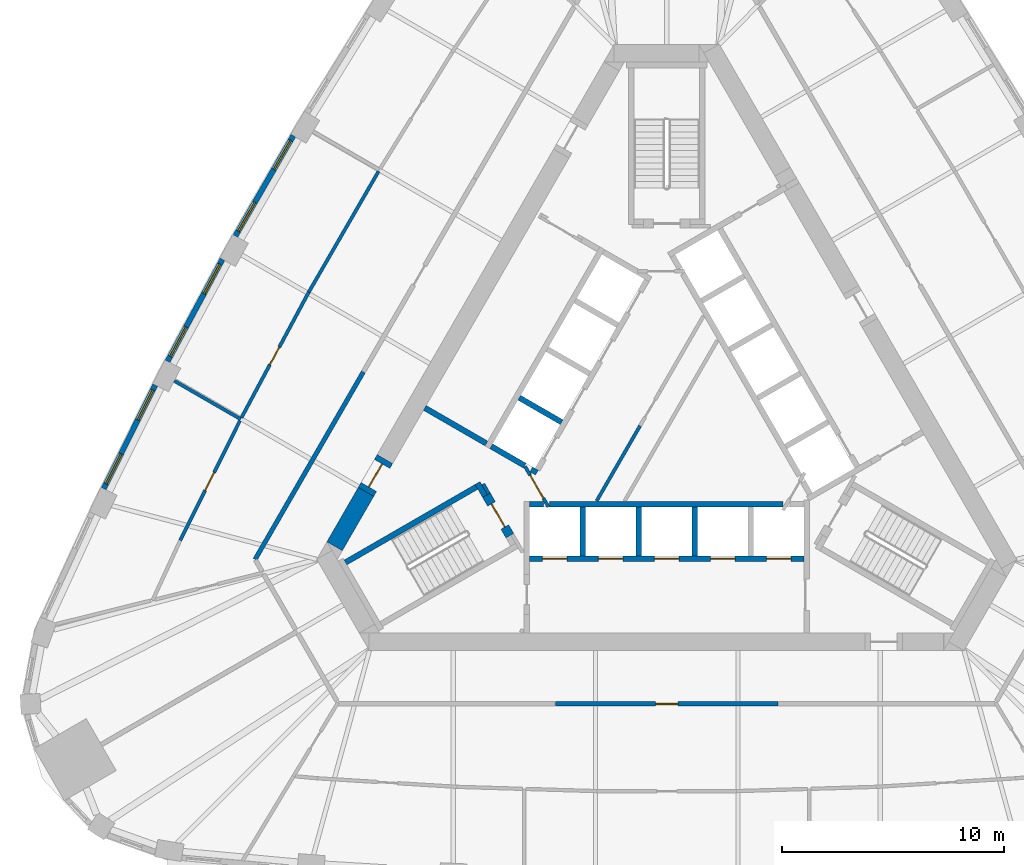
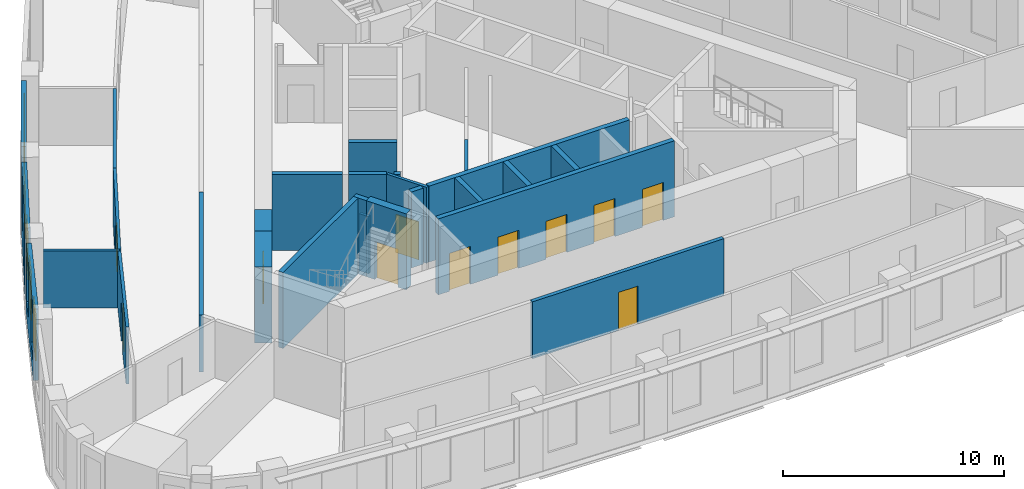
# One storey, part 4 of 10: 27 walls, 11 doors, 6 windows, 17 openings.
"""IFC4 building model written with IfcOpenShell, lengths in metres."""

from ifc_helpers import new_model, si_unit, direction, frame, frame_2d, origin, place, context, subcontext, project, spatial, rectangle, extrude, material, layer, layer_set, type_object, element, fill, save


model = new_model("IFC4")

# Units and contexts
model_context = context("Model", 3, precision=1e-05, world=origin(), true_north=direction((0.0, 1.0)))
body_context = subcontext(model_context, "Body", "Model", "MODEL_VIEW")
ifc_project = project(units=[si_unit("LENGTHUNIT", "METRE"), si_unit("AREAUNIT", "SQUARE_METRE"), si_unit("VOLUMEUNIT", "CUBIC_METRE"), si_unit("PLANEANGLEUNIT", "RADIAN"), si_unit("MASSUNIT", "GRAM", prefix="KILO")], contexts=[model_context])

# Site, building, storey
site_placement = place(None, origin())
site = spatial("IfcSite", under=ifc_project, at=site_placement, CompositionType="ELEMENT")
building_placement = place(site_placement, origin())
building = spatial("IfcBuilding", under=site, at=building_placement, Name="Mestral Congress Tower", CompositionType="ELEMENT")
storey_placement = place(building_placement, frame((0.0, 0.0, 145.800048828125)))
storey = spatial("IfcBuildingStorey", under=building, at=storey_placement, Name="L34", CompositionType="ELEMENT", Elevation=145.800048828125)

# Walls
ifc_material_1 = material(Name="Fire-rated board partition")
ifc_layer_1 = layer(ifc_material_1, 0.14990234375)
ifc_layer_set_1 = layer_set([ifc_layer_1], Name="Fire-rated board partition")
wall_type_1 = type_object("IfcWallType", Name="Core partition 150", PredefinedType="PARTITIONING", material=ifc_layer_set_1)
wall_1_placement = place(storey_placement, frame((-8.251953125, -2.958251953125, 0.0), z_axis=(0.0, 0.0, 1.0), x_axis=(0.500174715838, -0.865924508047, 0.0)))
element("IfcWall", 1, at=wall_1_placement, inside=storey, type_object=wall_type_1, Name="L34 core wall", PredefinedType="PARTITIONING", context=body_context, shape_type="SweptSolid", body=[
    extrude(rectangle(XDim=0.513916015625, YDim=0.14990234375, at=frame_2d((0.2568359375, 0.0))), origin(), (0.0, 0.0, 1.0), 3.14990234375),
])
wall_2_placement = place(storey_placement, frame((-3.146728515625, -3.71826171875, 0.0), z_axis=(0.0, 0.0, 1.0), x_axis=(0.500010131483, 0.866019554291, 0.0)))
element("IfcWall", 2, at=wall_2_placement, inside=storey, type_object=wall_type_1, Name="L34 core wall", PredefinedType="PARTITIONING", context=body_context, shape_type="SweptSolid", body=[
    extrude(rectangle(XDim=3.8935546875, YDim=0.14990234375, at=frame_2d((1.94677734375, 0.0))), origin(), (0.0, 0.0, 1.0), 3.14990234375),
])
ifc_material_2 = material(Name="Concrete C60/75", Category="concrete")
ifc_layer_2 = layer(ifc_material_2, 0.800048828125)
ifc_layer_set_2 = layer_set([ifc_layer_2], Name="Concrete C60/75")
wall_type_2 = type_object("IfcWallType", Name="Core wall RC 800", PredefinedType="SOLIDWALL", material=ifc_layer_set_2)
wall_3_placement = place(storey_placement, frame((-13.518310546875, -3.314208984375, 0.0), z_axis=(0.0, 0.0, 1.0), x_axis=(-0.499969377405, -0.866043083026, 0.0)))
element("IfcWall", 3, at=wall_3_placement, inside=storey, type_object=wall_type_2, Name="L34 core wall", PredefinedType="SOLIDWALL", context=body_context, shape_type="SweptSolid", body=[
    extrude(rectangle(XDim=2.824462890625, YDim=0.800048828125, at=frame_2d((1.412109375, 0.0))), origin(), (0.0, 0.0, 1.0), 4.199951171875),
])

# Wall, opening, door
wall_4_placement = place(storey_placement, frame((-13.518310546875, -3.314208984375, 0.0), z_axis=(0.0, 0.0, 1.0), x_axis=(0.500062241894, 0.865989465428, 0.0)))
wall_4 = element("IfcWall", 4, at=wall_4_placement, inside=storey, type_object=wall_type_2, Name="L34 door wall", PredefinedType="SOLIDWALL", context=body_context, shape_type="SweptSolid", body=[
    extrude(rectangle(XDim=1.699951171875, YDim=0.800048828125, at=frame_2d((0.85009765625, 0.0))), origin(), (0.0, 0.0, 1.0), 4.199951171875),
])
opening_1_placement = place(wall_4_placement, frame((0.25, 0.0, 0.0)))
opening_1 = element("IfcOpeningElement", 5, at=opening_1_placement, cuts=wall_4, Name="Opening XD3", PredefinedType="OPENING", context=body_context, shape_type="SweptSolid", body=[
    extrude(rectangle(XDim=1.199951171875, YDim=2.10009765625, at=frame_2d((0.60009765625, 1.050048828125))), frame((0.0, 0.409912109375, 0.0), z_axis=(0.0, -1.0, 0.0), x_axis=(1.0, 0.0, 0.0)), (0.0, 0.0, 1.0), 0.820068359375),
])
ifc_material_3 = material(Name="Fire-rated steel door set", Category="steel")
door_type_1 = type_object("IfcDoorType", Name="Core door XD 1200x2100", OperationType="SINGLE_SWING_LEFT", PredefinedType="DOOR", material=ifc_material_3)
door_1_placement = place(opening_1_placement, origin())
door_1 = element("IfcDoor", 6, at=door_1_placement, inside=storey, type_object=door_type_1, Name="Door XD3", OperationType="SINGLE_SWING_LEFT", OverallHeight=2.10009765625, OverallWidth=1.199951171875, PredefinedType="DOOR", context=body_context, shape_type="SweptSolid", body=[
    extrude(rectangle(XDim=1.199951171875, YDim=2.10009765625, at=frame_2d((0.60009765625, 1.050048828125))), frame((0.0, 0.02490234375, 0.0), z_axis=(0.0, -1.0, 0.0), x_axis=(1.0, 0.0, 0.0)), (0.0, 0.0, 1.0), 0.050048828125),
])
fill(opening_1, door_1)

# Wall, openings, windows
ifc_material_4 = material(Name="Precast concrete C40/50 with limestone facing", Category="masonry")
ifc_layer_3 = layer(ifc_material_4, 0.239990234375)
ifc_layer_set_3 = layer_set([ifc_layer_3], Name="Precast concrete C40/50 with limestone facing")
wall_type_3 = type_object("IfcWallType", Name="Facade stone wall 240", PredefinedType="SOLIDWALL", material=ifc_layer_set_3)
wall_5_placement = place(storey_placement, frame((-16.788818359375, 12.697265625, 0.0), z_axis=(0.0, 0.0, 1.0), x_axis=(-0.500009456303, -0.866019944116, 0.0)))
wall_5 = element("IfcWall", 7, at=wall_5_placement, inside=storey, type_object=wall_type_3, Name="Facade wall F2-03", PredefinedType="SOLIDWALL", context=body_context, shape_type="SweptSolid", body=[
    extrude(rectangle(XDim=5.20361328125, YDim=0.239990234375, at=frame_2d((2.601806640625, 0.0))), origin(), (0.0, 0.0, 1.0), 3.949951171875),
])
opening_2_placement = place(wall_5_placement, frame((0.248291015625, 0.0, 0.89990234375)))
opening_2 = element("IfcOpeningElement", 8, at=opening_2_placement, cuts=wall_5, Name="Opening W4", PredefinedType="OPENING", context=body_context, shape_type="SweptSolid", body=[
    extrude(rectangle(XDim=1.5, YDim=2.550048828125, at=frame_2d((0.75, 1.27490234375))), frame((0.0, 0.1298828125, 0.0), z_axis=(0.0, -1.0, 0.0), x_axis=(1.0, 0.0, 0.0)), (0.0, 0.0, 1.0), 0.260009765625),
])
opening_3_placement = place(wall_5_placement, frame((3.455078125, 0.0, 0.89990234375)))
opening_3 = element("IfcOpeningElement", 9, at=opening_3_placement, cuts=wall_5, Name="Opening W4", PredefinedType="OPENING", context=body_context, shape_type="SweptSolid", body=[
    extrude(rectangle(XDim=1.5, YDim=2.550048828125, at=frame_2d((0.75, 1.27490234375))), frame((0.0, 0.1298828125, 0.0), z_axis=(0.0, -1.0, 0.0), x_axis=(1.0, 0.0, 0.0)), (0.0, 0.0, 1.0), 0.260009765625),
])
ifc_material_5 = material(Name="Clear low-emissivity double glazing", Category="glass")
window_type = type_object("IfcWindowType", Name="Facade punched window 1500 x 2550 sill 900", PartitioningType="SINGLE_PANEL", PredefinedType="WINDOW", material=ifc_material_5)
window_1_placement = place(opening_2_placement, origin())
window_1 = element("IfcWindow", 10, at=window_1_placement, inside=storey, type_object=window_type, Name="Window F2-03a", OverallHeight=2.550048828125, OverallWidth=1.5, PartitioningType="SINGLE_PANEL", PredefinedType="WINDOW", context=body_context, shape_type="SweptSolid", body=[
    extrude(rectangle(XDim=1.5, YDim=2.550048828125, at=frame_2d((0.75, 1.27490234375))), frame((0.0, 0.0400390625, 0.0), z_axis=(0.0, -1.0, 0.0), x_axis=(1.0, 0.0, 0.0)), (0.0, 0.0, 1.0), 0.06005859375),
])
fill(opening_2, window_1)
window_2_placement = place(opening_3_placement, origin())
window_2 = element("IfcWindow", 11, at=window_2_placement, inside=storey, type_object=window_type, Name="Window F2-03b", OverallHeight=2.550048828125, OverallWidth=1.5, PartitioningType="SINGLE_PANEL", PredefinedType="WINDOW", context=body_context, shape_type="SweptSolid", body=[
    extrude(rectangle(XDim=1.5, YDim=2.550048828125, at=frame_2d((0.75, 1.27490234375))), frame((0.0, 0.0400390625, 0.0), z_axis=(0.0, -1.0, 0.0), x_axis=(1.0, 0.0, 0.0)), (0.0, 0.0, 1.0), 0.06005859375),
])
fill(opening_3, window_2)

wall_6_placement = place(storey_placement, frame((-19.976806640625, 7.138671875, 0.0), z_axis=(0.0, 0.0, 1.0), x_axis=(-0.473349833294, -0.880874528704, 0.0)))
wall_6 = element("IfcWall", 12, at=wall_6_placement, inside=storey, type_object=wall_type_3, Name="Facade wall F2-04", PredefinedType="SOLIDWALL", context=body_context, shape_type="SweptSolid", body=[
    extrude(rectangle(XDim=5.20361328125, YDim=0.239990234375, at=frame_2d((2.601806640625, 0.0))), origin(), (0.0, 0.0, 1.0), 3.949951171875),
])
opening_4_placement = place(wall_6_placement, frame((0.248291015625, 0.0, 0.89990234375)))
opening_4 = element("IfcOpeningElement", 13, at=opening_4_placement, cuts=wall_6, Name="Opening W4", PredefinedType="OPENING", context=body_context, shape_type="SweptSolid", body=[
    extrude(rectangle(XDim=1.5, YDim=2.550048828125, at=frame_2d((0.75, 1.27490234375))), frame((0.0, 0.1298828125, 0.0), z_axis=(0.0, -1.0, 0.0), x_axis=(1.0, 0.0, 0.0)), (0.0, 0.0, 1.0), 0.260009765625),
])
opening_5_placement = place(wall_6_placement, frame((3.455078125, 0.0, 0.89990234375)))
opening_5 = element("IfcOpeningElement", 14, at=opening_5_placement, cuts=wall_6, Name="Opening W4", PredefinedType="OPENING", context=body_context, shape_type="SweptSolid", body=[
    extrude(rectangle(XDim=1.5, YDim=2.550048828125, at=frame_2d((0.75, 1.27490234375))), frame((0.0, 0.1298828125, 0.0), z_axis=(0.0, -1.0, 0.0), x_axis=(1.0, 0.0, 0.0)), (0.0, 0.0, 1.0), 0.260009765625),
])
window_3_placement = place(opening_4_placement, origin())
window_3 = element("IfcWindow", 15, at=window_3_placement, inside=storey, type_object=window_type, Name="Window F2-04a", OverallHeight=2.550048828125, OverallWidth=1.5, PartitioningType="SINGLE_PANEL", PredefinedType="WINDOW", context=body_context, shape_type="SweptSolid", body=[
    extrude(rectangle(XDim=1.5, YDim=2.550048828125, at=frame_2d((0.75, 1.27490234375))), frame((0.0, 0.0400390625, 0.0), z_axis=(0.0, -1.0, 0.0), x_axis=(1.0, 0.0, 0.0)), (0.0, 0.0, 1.0), 0.06005859375),
])
fill(opening_4, window_3)
window_4_placement = place(opening_5_placement, origin())
window_4 = element("IfcWindow", 16, at=window_4_placement, inside=storey, type_object=window_type, Name="Window F2-04b", OverallHeight=2.550048828125, OverallWidth=1.5, PartitioningType="SINGLE_PANEL", PredefinedType="WINDOW", context=body_context, shape_type="SweptSolid", body=[
    extrude(rectangle(XDim=1.5, YDim=2.550048828125, at=frame_2d((0.75, 1.27490234375))), frame((0.0, 0.0400390625, 0.0), z_axis=(0.0, -1.0, 0.0), x_axis=(1.0, 0.0, 0.0)), (0.0, 0.0, 1.0), 0.06005859375),
])
fill(opening_5, window_4)

wall_7_placement = place(storey_placement, frame((-22.993896484375, 1.485107421875, 0.0), z_axis=(0.0, 0.0, 1.0), x_axis=(-0.446256171312, -0.8949052629, 0.0)))
wall_7 = element("IfcWall", 17, at=wall_7_placement, inside=storey, type_object=wall_type_3, Name="Facade wall F2-05", PredefinedType="SOLIDWALL", context=body_context, shape_type="SweptSolid", body=[
    extrude(rectangle(XDim=5.203369140625, YDim=0.239990234375, at=frame_2d((2.6015625, 0.0))), origin(), (0.0, 0.0, 1.0), 3.949951171875),
])
opening_6_placement = place(wall_7_placement, frame((0.248291015625, 0.0, 0.89990234375)))
opening_6 = element("IfcOpeningElement", 18, at=opening_6_placement, cuts=wall_7, Name="Opening W4", PredefinedType="OPENING", context=body_context, shape_type="SweptSolid", body=[
    extrude(rectangle(XDim=1.5, YDim=2.550048828125, at=frame_2d((0.75, 1.27490234375))), frame((0.0, 0.1298828125, 0.0), z_axis=(0.0, -1.0, 0.0), x_axis=(1.0, 0.0, 0.0)), (0.0, 0.0, 1.0), 0.260009765625),
])
opening_7_placement = place(wall_7_placement, frame((3.455078125, 0.0, 0.89990234375)))
opening_7 = element("IfcOpeningElement", 19, at=opening_7_placement, cuts=wall_7, Name="Opening W4", PredefinedType="OPENING", context=body_context, shape_type="SweptSolid", body=[
    extrude(rectangle(XDim=1.5, YDim=2.550048828125, at=frame_2d((0.75, 1.27490234375))), frame((0.0, 0.1298828125, 0.0), z_axis=(0.0, -1.0, 0.0), x_axis=(1.0, 0.0, 0.0)), (0.0, 0.0, 1.0), 0.260009765625),
])
window_5_placement = place(opening_6_placement, origin())
window_5 = element("IfcWindow", 20, at=window_5_placement, inside=storey, type_object=window_type, Name="Window F2-05a", OverallHeight=2.550048828125, OverallWidth=1.5, PartitioningType="SINGLE_PANEL", PredefinedType="WINDOW", context=body_context, shape_type="SweptSolid", body=[
    extrude(rectangle(XDim=1.5, YDim=2.550048828125, at=frame_2d((0.75, 1.27490234375))), frame((0.0, 0.0400390625, 0.0), z_axis=(0.0, -1.0, 0.0), x_axis=(1.0, 0.0, 0.0)), (0.0, 0.0, 1.0), 0.06005859375),
])
fill(opening_6, window_5)
window_6_placement = place(opening_7_placement, origin())
window_6 = element("IfcWindow", 21, at=window_6_placement, inside=storey, type_object=window_type, Name="Window F2-05b", OverallHeight=2.550048828125, OverallWidth=1.5, PartitioningType="SINGLE_PANEL", PredefinedType="WINDOW", context=body_context, shape_type="SweptSolid", body=[
    extrude(rectangle(XDim=1.5, YDim=2.550048828125, at=frame_2d((0.75, 1.27490234375))), frame((0.0, 0.0400390625, 0.0), z_axis=(0.0, -1.0, 0.0), x_axis=(1.0, 0.0, 0.0)), (0.0, 0.0, 1.0), 0.06005859375),
])
fill(opening_7, window_6)

# Walls
ifc_material_6 = material(Name="Plasterboard partition on steel studs", Category="steel")
ifc_layer_4 = layer(ifc_material_6, 0.14990234375)
ifc_layer_set_4 = layer_set([ifc_layer_4], Name="Plasterboard partition on steel studs")
wall_type_4 = type_object("IfcWallType", Name="Office partition 150", PredefinedType="PARTITIONING", material=ifc_layer_set_4)
wall_8_placement = place(storey_placement, frame((-19.15380859375, -0.04638671875, 0.0), z_axis=(0.0, 0.0, 1.0), x_axis=(-0.866051136095, 0.499955427682, 0.0)))
element("IfcWall", 22, at=wall_8_placement, inside=storey, type_object=wall_type_4, Name="Partition", PredefinedType="PARTITIONING", context=body_context, shape_type="SweptSolid", body=[
    extrude(rectangle(XDim=3.447021484375, YDim=0.14990234375, at=frame_2d((1.7236328125, 0.0))), origin(), (0.0, 0.0, 1.0), 3.14990234375),
])
wall_9_placement = place(storey_placement, frame((-12.9541015625, 11.09521484375, 0.0), z_axis=(0.0, 0.0, 1.0), x_axis=(-0.500282785331, -0.865862076027, 0.0)))
element("IfcWall", 23, at=wall_9_placement, inside=storey, type_object=wall_type_4, Name="Partition", PredefinedType="PARTITIONING", context=body_context, shape_type="SweptSolid", body=[
    extrude(rectangle(XDim=6.272705078125, YDim=0.14990234375, at=frame_2d((3.13623046875, 0.0))), origin(), (0.0, 0.0, 1.0), 3.14990234375),
])

# Wall, opening, door
wall_10_placement = place(storey_placement, frame((-19.118408203125, 0.01953125, 0.0), z_axis=(0.0, 0.0, 1.0), x_axis=(0.47251230182, 0.88132407469, 0.0)))
wall_10 = element("IfcWall", 24, at=wall_10_placement, inside=storey, type_object=wall_type_4, Name="Partition", PredefinedType="PARTITIONING", context=body_context, shape_type="SweptSolid", body=[
    extrude(rectangle(XDim=6.404296875, YDim=0.14990234375, at=frame_2d((3.2021484375, 0.0))), origin(), (0.0, 0.0, 1.0), 3.14990234375),
])
opening_8_placement = place(wall_10_placement, frame((2.7041015625, 0.0, 0.0)))
opening_8 = element("IfcOpeningElement", 25, at=opening_8_placement, cuts=wall_10, Name="Opening O01-015", PredefinedType="OPENING", context=body_context, shape_type="SweptSolid", body=[
    extrude(rectangle(XDim=0.89990234375, YDim=2.10009765625, at=frame_2d((0.449951171875, 1.050048828125))), frame((0.0, 0.0849609375, 0.0), z_axis=(0.0, -1.0, 0.0), x_axis=(1.0, 0.0, 0.0)), (0.0, 0.0, 1.0), 0.169921875),
])
ifc_material_7 = material(Name="Timber door set", Category="wood")
door_type_2 = type_object("IfcDoorType", Name="Office door 900x2100", OperationType="SINGLE_SWING_LEFT", PredefinedType="DOOR", material=ifc_material_7)
door_2_placement = place(opening_8_placement, origin())
door_2 = element("IfcDoor", 26, at=door_2_placement, inside=storey, type_object=door_type_2, Name="Door O01-015", OperationType="SINGLE_SWING_LEFT", OverallHeight=2.10009765625, OverallWidth=0.89990234375, PredefinedType="DOOR", context=body_context, shape_type="SweptSolid", body=[
    extrude(rectangle(XDim=0.89990234375, YDim=2.10009765625, at=frame_2d((0.449951171875, 1.050048828125))), frame((0.0, 0.02490234375, 0.0), z_axis=(0.0, -1.0, 0.0), x_axis=(1.0, 0.0, 0.0)), (0.0, 0.0, 1.0), 0.050048828125),
])
fill(opening_8, door_2)

wall_11_placement = place(storey_placement, frame((-21.869384765625, -5.492919921875, 0.0), z_axis=(0.0, 0.0, 1.0), x_axis=(0.44618972677, 0.894938393257, 0.0)))
wall_11 = element("IfcWall", 27, at=wall_11_placement, inside=storey, type_object=wall_type_4, Name="Partition", PredefinedType="PARTITIONING", context=body_context, shape_type="SweptSolid", body=[
    extrude(rectangle(XDim=6.0107421875, YDim=0.14990234375, at=frame_2d((3.00537109375, 0.0))), origin(), (0.0, 0.0, 1.0), 3.14990234375),
])
opening_9_placement = place(wall_11_placement, frame((2.5107421875, 0.0, 0.0)))
opening_9 = element("IfcOpeningElement", 28, at=opening_9_placement, cuts=wall_11, Name="Opening O01-016", PredefinedType="OPENING", context=body_context, shape_type="SweptSolid", body=[
    extrude(rectangle(XDim=0.89990234375, YDim=2.10009765625, at=frame_2d((0.449951171875, 1.050048828125))), frame((0.0, 0.0849609375, 0.0), z_axis=(0.0, -1.0, 0.0), x_axis=(1.0, 0.0, 0.0)), (0.0, 0.0, 1.0), 0.169921875),
])
door_3_placement = place(opening_9_placement, origin())
door_3 = element("IfcDoor", 29, at=door_3_placement, inside=storey, type_object=door_type_2, Name="Door O01-016", OperationType="SINGLE_SWING_LEFT", OverallHeight=2.10009765625, OverallWidth=0.89990234375, PredefinedType="DOOR", context=body_context, shape_type="SweptSolid", body=[
    extrude(rectangle(XDim=0.89990234375, YDim=2.10009765625, at=frame_2d((0.449951171875, 1.050048828125))), frame((0.0, 0.02490234375, 0.0), z_axis=(0.0, -1.0, 0.0), x_axis=(1.0, 0.0, 0.0)), (0.0, 0.0, 1.0), 0.050048828125),
])
fill(opening_9, door_3)

ifc_material_8 = material(Name="Dense masonry wall, plastered", Category="masonry")
ifc_layer_5 = layer(ifc_material_8, 0.199951171875)
ifc_layer_set_5 = layer_set([ifc_layer_5], Name="Dense masonry wall, plastered")
wall_type_5 = type_object("IfcWallType", Name="Office tenancy wall 200", PredefinedType="PARTITIONING", material=ifc_layer_set_5)
wall_12_placement = place(storey_placement, frame((-5.0, -12.85009765625, 0.0), z_axis=(0.0, 0.0, 1.0), x_axis=(1.0, 0.0, 0.0)))
wall_12 = element("IfcWall", 30, at=wall_12_placement, inside=storey, type_object=wall_type_5, Name="Tenancy wall", PredefinedType="PARTITIONING", context=body_context, shape_type="SweptSolid", body=[
    extrude(rectangle(XDim=10.0, YDim=0.199951171875, at=frame_2d((5.0, 0.0))), origin(), (0.0, 0.0, 1.0), 3.14990234375),
])
opening_10_placement = place(wall_12_placement, frame((4.5, 0.0, 0.0)))
opening_10 = element("IfcOpeningElement", 31, at=opening_10_placement, cuts=wall_12, Name="Opening O01-005", PredefinedType="OPENING", context=body_context, shape_type="SweptSolid", body=[
    extrude(rectangle(XDim=1.0, YDim=2.10009765625, at=frame_2d((0.5, 1.050048828125))), frame((0.0, 0.10986328125, 0.0), z_axis=(0.0, -1.0, 0.0), x_axis=(1.0, 0.0, 0.0)), (0.0, 0.0, 1.0), 0.219970703125),
])
ifc_material_9 = material(Name="Fire-rated timber door set", Category="wood")
door_type_3 = type_object("IfcDoorType", Name="Office tenancy entrance door 1000x2100", OperationType="SINGLE_SWING_LEFT", PredefinedType="DOOR", material=ifc_material_9)
door_4_placement = place(opening_10_placement, origin())
door_4 = element("IfcDoor", 32, at=door_4_placement, inside=storey, type_object=door_type_3, Name="Door O01-005", OperationType="SINGLE_SWING_RIGHT", OverallHeight=2.10009765625, OverallWidth=1.0, PredefinedType="DOOR", context=body_context, shape_type="SweptSolid", body=[
    extrude(rectangle(XDim=1.0, YDim=2.10009765625, at=frame_2d((0.5, 1.050048828125))), frame((0.0, 0.02490234375, 0.0), z_axis=(0.0, -1.0, 0.0), x_axis=(1.0, 0.0, 0.0)), (0.0, 0.0, 1.0), 0.050048828125),
])
fill(opening_10, door_4)

# Walls
wall_13_placement = place(storey_placement, frame((-13.643310546875, 2.06884765625, 0.0), z_axis=(0.0, 0.0, 1.0), x_axis=(-0.500012305324, -0.866018299186, 0.0)))
element("IfcWall", 33, at=wall_13_placement, inside=storey, type_object=wall_type_5, Name="Tenancy wall", PredefinedType="PARTITIONING", context=body_context, shape_type="SweptSolid", body=[
    extrude(rectangle(XDim=9.721435546875, YDim=0.199951171875, at=frame_2d((4.86083984375, 0.0))), origin(), (0.0, 0.0, 1.0), 3.14990234375),
])
ifc_layer_6 = layer(ifc_material_2, 0.25)
ifc_layer_set_6 = layer_set([ifc_layer_6], Name="Concrete C60/75")
wall_type_6 = type_object("IfcWallType", Name="Shaft wall RC 250", PredefinedType="SOLIDWALL", material=ifc_layer_set_6)
wall_14_placement = place(storey_placement, frame((-5.25927734375, -3.875, 0.0), z_axis=(0.0, 0.0, 1.0), x_axis=(1.0, 0.0, 0.0)))
element("IfcWall", 34, at=wall_14_placement, inside=storey, type_object=wall_type_6, Name="L34 core wall", PredefinedType="SOLIDWALL", context=body_context, shape_type="SweptSolid", body=[
    extrude(rectangle(XDim=10.488525390625, YDim=0.25, at=frame_2d((5.244140625, 0.0))), origin(), (0.0, 0.0, 1.0), 4.199951171875),
])
for number, where, z_axis, x_axis, name in (
    (35, (1.260009765625, -4.0, 0.0), (0.0, 0.0, 1.0), (0.0, -1.0, 0.0), "L34 core wall"),
    (36, (-1.260009765625, -4.0, 0.0), (0.0, 0.0, 1.0), (0.0, -1.0, 0.0), "L34 core wall"),
    (37, (-3.780029296875, -4.0, 0.0), (0.0, 0.0, 1.0), (0.0, -1.0, 0.0), "L34 core wall"),
):
    element("IfcWall", number, at=place(storey_placement, frame(where, z_axis=z_axis, x_axis=x_axis)), inside=storey, type_object=wall_type_6, Name=name, PredefinedType="SOLIDWALL", context=body_context, shape_type="SweptSolid", body=[
        extrude(rectangle(XDim=2.199951171875, YDim=0.25, at=frame_2d((1.10009765625, 0.0))), origin(), (0.0, 0.0, 1.0), 4.199951171875),
    ])
wall_15_placement = place(storey_placement, frame((-6.175048828125, -3.875, 0.0), z_axis=(0.0, 0.0, 1.0), x_axis=(1.0, 0.0, 0.0)))
element("IfcWall", 38, at=wall_15_placement, inside=storey, type_object=wall_type_6, Name="L34 core wall", PredefinedType="SOLIDWALL", context=body_context, shape_type="SweptSolid", body=[
    extrude(rectangle(XDim=0.63671875, YDim=0.25, at=frame_2d((0.318359375, 0.0))), origin(), (0.0, 0.0, 1.0), 4.199951171875),
])
wall_16_placement = place(storey_placement, frame((-4.72412109375, -0.182373046875, 0.0), z_axis=(0.0, 0.0, 1.0), x_axis=(-0.866008176907, 0.50002983664, 0.0)))
element("IfcWall", 39, at=wall_16_placement, inside=storey, type_object=wall_type_6, Name="L34 core wall", PredefinedType="SOLIDWALL", context=body_context, shape_type="SweptSolid", body=[
    extrude(rectangle(XDim=2.199951171875, YDim=0.25, at=frame_2d((1.10009765625, 0.0))), origin(), (0.0, 0.0, 1.0), 4.199951171875),
])
wall_17_placement = place(storey_placement, frame((-6.088134765625, -2.3046875, 0.0), z_axis=(0.0, 0.0, 1.0), x_axis=(0.866059450854, -0.499941024108, 0.0)))
element("IfcWall", 40, at=wall_17_placement, inside=storey, type_object=wall_type_6, Name="L34 core wall", PredefinedType="SOLIDWALL", context=body_context, shape_type="SweptSolid", body=[
    extrude(rectangle(XDim=0.2900390625, YDim=0.25, at=frame_2d((0.14501953125, 0.0))), origin(), (0.0, 0.0, 1.0), 4.199951171875),
])
wall_18_placement = place(storey_placement, frame((-7.889404296875, -1.2646484375, 0.0), z_axis=(0.0, 0.0, 1.0), x_axis=(0.865986741702, -0.500066958712, 0.0)))
element("IfcWall", 41, at=wall_18_placement, inside=storey, type_object=wall_type_6, Name="L34 core wall", PredefinedType="SOLIDWALL", context=body_context, shape_type="SweptSolid", body=[
    extrude(rectangle(XDim=1.738037109375, YDim=0.25, at=frame_2d((0.869140625, 0.0))), origin(), (0.0, 0.0, 1.0), 4.199951171875),
])
wall_19_placement = place(storey_placement, frame((-8.10595703125, -1.139892578125, 0.0), z_axis=(0.0, 0.0, 1.0), x_axis=(-0.866008981251, 0.500028443584, 0.0)))
element("IfcWall", 42, at=wall_19_placement, inside=storey, type_object=wall_type_6, Name="L34 core wall", PredefinedType="SOLIDWALL", context=body_context, shape_type="SweptSolid", body=[
    extrude(rectangle(XDim=3.199951171875, YDim=0.25, at=frame_2d((1.60009765625, 0.0))), origin(), (0.0, 0.0, 1.0), 4.199951171875),
])

# Wall, openings, doors
wall_20_placement = place(storey_placement, frame((-6.175048828125, -6.324951171875, 0.0), z_axis=(0.0, 0.0, 1.0), x_axis=(1.0, 0.0, 0.0)))
wall_20 = element("IfcWall", 43, at=wall_20_placement, inside=storey, type_object=wall_type_6, Name="L34 door wall", PredefinedType="SOLIDWALL", context=body_context, shape_type="SweptSolid", body=[
    extrude(rectangle(XDim=12.35009765625, YDim=0.25, at=frame_2d((6.175048828125, 0.0))), origin(), (0.0, 0.0, 1.0), 4.199951171875),
])
opening_11_placement = place(wall_20_placement, frame((0.5849609375, 0.0, 0.0)))
opening_11 = element("IfcOpeningElement", 44, at=opening_11_placement, cuts=wall_20, Name="Opening LD-SOB1", PredefinedType="OPENING", context=body_context, shape_type="SweptSolid", body=[
    extrude(rectangle(XDim=1.10009765625, YDim=2.10009765625, at=frame_2d((0.550048828125, 1.050048828125))), frame((0.0, 0.135009765625, 0.0), z_axis=(0.0, -1.0, 0.0), x_axis=(1.0, 0.0, 0.0)), (0.0, 0.0, 1.0), 0.27001953125),
])
opening_12_placement = place(wall_20_placement, frame((3.10498046875, 0.0, 0.0)))
opening_12 = element("IfcOpeningElement", 45, at=opening_12_placement, cuts=wall_20, Name="Opening LD-SOB2", PredefinedType="OPENING", context=body_context, shape_type="SweptSolid", body=[
    extrude(rectangle(XDim=1.10009765625, YDim=2.10009765625, at=frame_2d((0.550048828125, 1.050048828125))), frame((0.0, 0.135009765625, 0.0), z_axis=(0.0, -1.0, 0.0), x_axis=(1.0, 0.0, 0.0)), (0.0, 0.0, 1.0), 0.27001953125),
])
opening_13_placement = place(wall_20_placement, frame((5.625, 0.0, 0.0)))
opening_13 = element("IfcOpeningElement", 46, at=opening_13_placement, cuts=wall_20, Name="Opening LD-SOB3", PredefinedType="OPENING", context=body_context, shape_type="SweptSolid", body=[
    extrude(rectangle(XDim=1.10009765625, YDim=2.10009765625, at=frame_2d((0.550048828125, 1.050048828125))), frame((0.0, 0.135009765625, 0.0), z_axis=(0.0, -1.0, 0.0), x_axis=(1.0, 0.0, 0.0)), (0.0, 0.0, 1.0), 0.27001953125),
])
opening_14_placement = place(wall_20_placement, frame((8.14501953125, 0.0, 0.0)))
opening_14 = element("IfcOpeningElement", 47, at=opening_14_placement, cuts=wall_20, Name="Opening LD-SOB4", PredefinedType="OPENING", context=body_context, shape_type="SweptSolid", body=[
    extrude(rectangle(XDim=1.10009765625, YDim=2.10009765625, at=frame_2d((0.550048828125, 1.050048828125))), frame((0.0, 0.135009765625, 0.0), z_axis=(0.0, -1.0, 0.0), x_axis=(1.0, 0.0, 0.0)), (0.0, 0.0, 1.0), 0.27001953125),
])
opening_15_placement = place(wall_20_placement, frame((10.6650390625, 0.0, 0.0)))
opening_15 = element("IfcOpeningElement", 48, at=opening_15_placement, cuts=wall_20, Name="Opening LD-SOB5", PredefinedType="OPENING", context=body_context, shape_type="SweptSolid", body=[
    extrude(rectangle(XDim=1.10009765625, YDim=2.10009765625, at=frame_2d((0.550048828125, 1.050048828125))), frame((0.0, 0.135009765625, 0.0), z_axis=(0.0, -1.0, 0.0), x_axis=(1.0, 0.0, 0.0)), (0.0, 0.0, 1.0), 0.27001953125),
])
door_type_4 = type_object("IfcDoorType", Name="Core door LD 1100x2100", OperationType="DOUBLE_DOOR_SLIDING", PredefinedType="DOOR", material=ifc_material_3)
door_5_placement = place(opening_11_placement, origin())
door_5 = element("IfcDoor", 49, at=door_5_placement, inside=storey, type_object=door_type_4, Name="Door LD-SOB1", OperationType="DOUBLE_DOOR_SLIDING", OverallHeight=2.10009765625, OverallWidth=1.10009765625, PredefinedType="DOOR", context=body_context, shape_type="SweptSolid", body=[
    extrude(rectangle(XDim=1.10009765625, YDim=2.10009765625, at=frame_2d((0.550048828125, 1.050048828125))), frame((0.0, 0.02490234375, 0.0), z_axis=(0.0, -1.0, 0.0), x_axis=(1.0, 0.0, 0.0)), (0.0, 0.0, 1.0), 0.050048828125),
])
fill(opening_11, door_5)
door_6_placement = place(opening_12_placement, origin())
door_6 = element("IfcDoor", 50, at=door_6_placement, inside=storey, type_object=door_type_4, Name="Door LD-SOB2", OperationType="DOUBLE_DOOR_SLIDING", OverallHeight=2.10009765625, OverallWidth=1.10009765625, PredefinedType="DOOR", context=body_context, shape_type="SweptSolid", body=[
    extrude(rectangle(XDim=1.10009765625, YDim=2.10009765625, at=frame_2d((0.550048828125, 1.050048828125))), frame((0.0, 0.02490234375, 0.0), z_axis=(0.0, -1.0, 0.0), x_axis=(1.0, 0.0, 0.0)), (0.0, 0.0, 1.0), 0.050048828125),
])
fill(opening_12, door_6)
door_7_placement = place(opening_13_placement, origin())
door_7 = element("IfcDoor", 51, at=door_7_placement, inside=storey, type_object=door_type_4, Name="Door LD-SOB3", OperationType="DOUBLE_DOOR_SLIDING", OverallHeight=2.10009765625, OverallWidth=1.10009765625, PredefinedType="DOOR", context=body_context, shape_type="SweptSolid", body=[
    extrude(rectangle(XDim=1.10009765625, YDim=2.10009765625, at=frame_2d((0.550048828125, 1.050048828125))), frame((0.0, 0.02490234375, 0.0), z_axis=(0.0, -1.0, 0.0), x_axis=(1.0, 0.0, 0.0)), (0.0, 0.0, 1.0), 0.050048828125),
])
fill(opening_13, door_7)
door_8_placement = place(opening_14_placement, origin())
door_8 = element("IfcDoor", 52, at=door_8_placement, inside=storey, type_object=door_type_4, Name="Door LD-SOB4", OperationType="DOUBLE_DOOR_SLIDING", OverallHeight=2.10009765625, OverallWidth=1.10009765625, PredefinedType="DOOR", context=body_context, shape_type="SweptSolid", body=[
    extrude(rectangle(XDim=1.10009765625, YDim=2.10009765625, at=frame_2d((0.550048828125, 1.050048828125))), frame((0.0, 0.02490234375, 0.0), z_axis=(0.0, -1.0, 0.0), x_axis=(1.0, 0.0, 0.0)), (0.0, 0.0, 1.0), 0.050048828125),
])
fill(opening_14, door_8)
door_9_placement = place(opening_15_placement, origin())
door_9 = element("IfcDoor", 53, at=door_9_placement, inside=storey, type_object=door_type_4, Name="Door LD-SOB5", OperationType="DOUBLE_DOOR_SLIDING", OverallHeight=2.10009765625, OverallWidth=1.10009765625, PredefinedType="DOOR", context=body_context, shape_type="SweptSolid", body=[
    extrude(rectangle(XDim=1.10009765625, YDim=2.10009765625, at=frame_2d((0.550048828125, 1.050048828125))), frame((0.0, 0.02490234375, 0.0), z_axis=(0.0, -1.0, 0.0), x_axis=(1.0, 0.0, 0.0)), (0.0, 0.0, 1.0), 0.050048828125),
])
fill(opening_15, door_9)

# Wall, opening, door
ifc_layer_7 = layer(ifc_material_2, 0.14990234375)
ifc_layer_set_7 = layer_set([ifc_layer_7], Name="Concrete C60/75")
wall_type_7 = type_object("IfcWallType", Name="Shaft wall RC 250 door-wall 150", PredefinedType="SOLIDWALL", material=ifc_layer_set_7)
wall_21_placement = place(storey_placement, frame((-5.3173828125, -3.98974609375, 0.0), z_axis=(0.0, 0.0, 1.0), x_axis=(-0.500027713859, 0.866009402589, 0.0)))
wall_21 = element("IfcWall", 54, at=wall_21_placement, inside=storey, type_object=wall_type_7, Name="L34 door wall", PredefinedType="PARTITIONING", context=body_context, shape_type="SweptSolid", body=[
    extrude(rectangle(XDim=2.10009765625, YDim=0.14990234375, at=frame_2d((1.050048828125, 0.0))), origin(), (0.0, 0.0, 1.0), 4.199951171875),
])
opening_16_placement = place(wall_21_placement, frame((0.449951171875, 0.0, 0.0)))
opening_16 = element("IfcOpeningElement", 55, at=opening_16_placement, cuts=wall_21, Name="Opening CD3-FF", PredefinedType="OPENING", context=body_context, shape_type="SweptSolid", body=[
    extrude(rectangle(XDim=1.199951171875, YDim=2.10009765625, at=frame_2d((0.60009765625, 1.050048828125))), frame((0.0, 0.0849609375, 0.0), z_axis=(0.0, -1.0, 0.0), x_axis=(1.0, 0.0, 0.0)), (0.0, 0.0, 1.0), 0.169921875),
])
door_type_5 = type_object("IfcDoorType", Name="Core door CD 1200x2100", OperationType="SINGLE_SWING_LEFT", PredefinedType="DOOR", material=ifc_material_3)
door_10_placement = place(opening_16_placement, origin())
door_10 = element("IfcDoor", 56, at=door_10_placement, inside=storey, type_object=door_type_5, Name="Door CD3-FF", OperationType="SINGLE_SWING_LEFT", OverallHeight=2.10009765625, OverallWidth=1.199951171875, PredefinedType="DOOR", context=body_context, shape_type="SweptSolid", body=[
    extrude(rectangle(XDim=1.199951171875, YDim=2.10009765625, at=frame_2d((0.60009765625, 1.050048828125))), frame((0.0, 0.02490234375, 0.0), z_axis=(0.0, -1.0, 0.0), x_axis=(1.0, 0.0, 0.0)), (0.0, 0.0, 1.0), 0.050048828125),
])
fill(opening_16, door_10)

# Walls
ifc_layer_8 = layer(ifc_material_2, 0.25)
ifc_layer_set_8 = layer_set([ifc_layer_8], Name="Concrete C60/75")
wall_type_8 = type_object("IfcWallType", Name="Stair wall RC 250", PredefinedType="SOLIDWALL", material=ifc_layer_set_8)
wall_22_placement = place(storey_placement, frame((-14.43994140625, -6.489501953125, 0.0), z_axis=(0.0, 0.0, 1.0), x_axis=(0.866022966069, 0.500004222222, 0.0)))
element("IfcWall", 57, at=wall_22_placement, inside=storey, type_object=wall_type_8, Name="L34 core wall", PredefinedType="SOLIDWALL", context=body_context, shape_type="SweptSolid", body=[
    extrude(rectangle(XDim=6.80029296875, YDim=0.25, at=frame_2d((3.400146484375, 0.0))), origin(), (0.0, 0.0, 1.0), 4.199951171875),
])
wall_23_placement = place(storey_placement, frame((-8.167724609375, -3.503173828125, 0.0), z_axis=(0.0, 0.0, 1.0), x_axis=(-0.499952099219, 0.866053057547, 0.0)))
element("IfcWall", 58, at=wall_23_placement, inside=storey, type_object=wall_type_8, Name="L34 core wall", PredefinedType="SOLIDWALL", context=body_context, shape_type="SweptSolid", body=[
    extrude(rectangle(XDim=0.6748046875, YDim=0.25, at=frame_2d((0.33740234375, 0.0))), origin(), (0.0, 0.0, 1.0), 4.199951171875),
])

# Wall, opening, door
ifc_layer_9 = layer(ifc_material_2, 0.39990234375)
ifc_layer_set_9 = layer_set([ifc_layer_9], Name="Concrete C60/75")
wall_type_9 = type_object("IfcWallType", Name="Stair wall RC 250 door-wall 400", PredefinedType="SOLIDWALL", material=ifc_layer_set_9)
wall_24_placement = place(storey_placement, frame((-8.102783203125, -3.4658203125, 0.0), z_axis=(0.0, 0.0, 1.0), x_axis=(0.500078061341, -0.865980330357, 0.0)))
wall_24 = element("IfcWall", 59, at=wall_24_placement, inside=storey, type_object=wall_type_9, Name="L34 door wall", PredefinedType="SOLIDWALL", context=body_context, shape_type="SweptSolid", body=[
    extrude(rectangle(XDim=2.099853515625, YDim=0.39990234375, at=frame_2d((1.0498046875, 0.0))), origin(), (0.0, 0.0, 1.0), 4.199951171875),
])
opening_17_placement = place(wall_24_placement, frame((0.449951171875, 0.0, 0.0)))
opening_17 = element("IfcOpeningElement", 60, at=opening_17_placement, cuts=wall_24, Name="Opening ST-D3", PredefinedType="OPENING", context=body_context, shape_type="SweptSolid", body=[
    extrude(rectangle(XDim=1.199951171875, YDim=2.10009765625, at=frame_2d((0.60009765625, 1.050048828125))), frame((0.0, 0.2099609375, 0.0), z_axis=(0.0, -1.0, 0.0), x_axis=(1.0, 0.0, 0.0)), (0.0, 0.0, 1.0), 0.419921875),
])
door_type_6 = type_object("IfcDoorType", Name="Core door ST 1200x2100", OperationType="SINGLE_SWING_LEFT", PredefinedType="DOOR", material=ifc_material_3)
door_11_placement = place(opening_17_placement, origin())
door_11 = element("IfcDoor", 61, at=door_11_placement, inside=storey, type_object=door_type_6, Name="Door ST-D3", OperationType="SINGLE_SWING_LEFT", OverallHeight=2.10009765625, OverallWidth=1.199951171875, PredefinedType="DOOR", context=body_context, shape_type="SweptSolid", body=[
    extrude(rectangle(XDim=1.199951171875, YDim=2.10009765625, at=frame_2d((0.60009765625, 1.050048828125))), frame((0.0, 0.02490234375, 0.0), z_axis=(0.0, -1.0, 0.0), x_axis=(1.0, 0.0, 0.0)), (0.0, 0.0, 1.0), 0.050048828125),
])
fill(opening_17, door_11)

save(model, "model.ifc")
